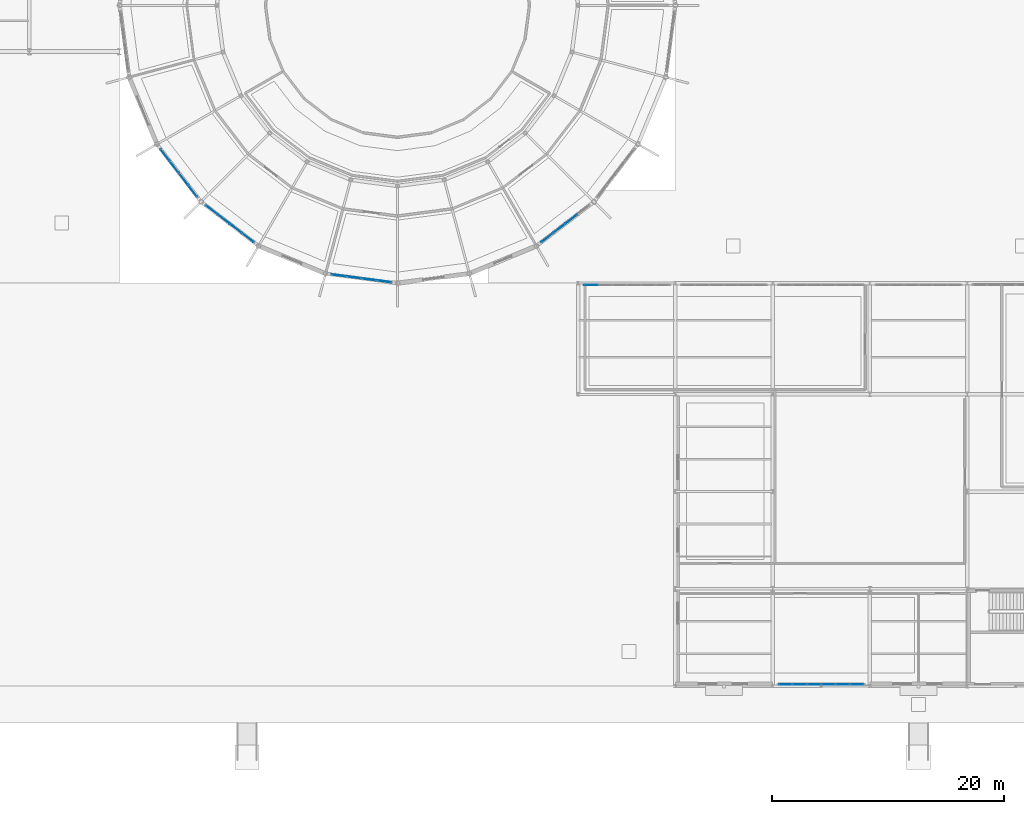
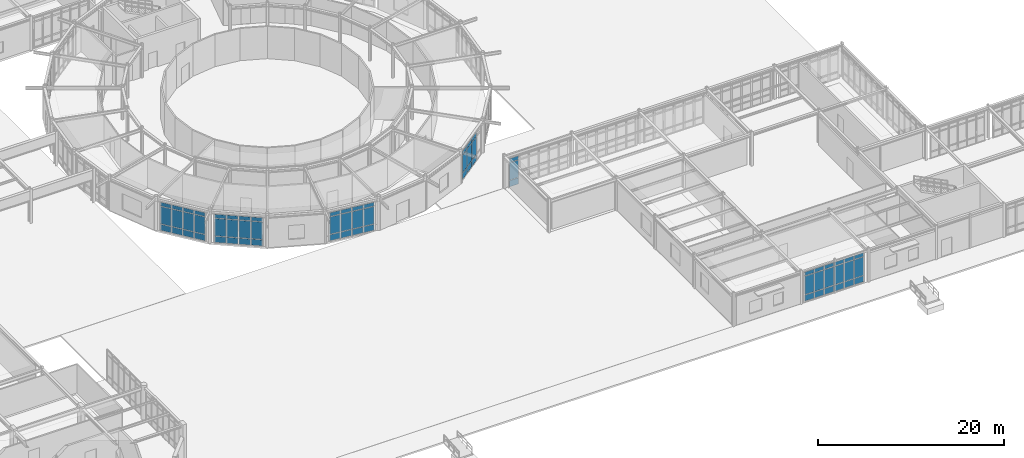
# One storey, part 63 of 101: 66 plates, 6 elements without a shape of their own.
"""IFC4 building model written with IfcOpenShell, lengths in metres."""

from ifc_helpers import new_model, si_unit, derived_unit, direction, frame, origin, origin_2d, place, context, subcontext, project, spatial, rectangle, extrude, material, layer, layer_set, type_object, element, aggregate, save


model = new_model("IFC4")

# Units and contexts
model_context = context("Model", 3, precision=1e-05, world=origin(), true_north=direction((0.0, 1.0)))
body_context = subcontext(model_context, "Body", "Model", "MODEL_VIEW")
ifc_project = project(units=[si_unit("LENGTHUNIT", "METRE"), si_unit("AREAUNIT", "SQUARE_METRE"), si_unit("VOLUMEUNIT", "CUBIC_METRE"), si_unit("PLANEANGLEUNIT", "RADIAN"), si_unit("MASSUNIT", "GRAM", prefix="KILO"), derived_unit("THERMALTRANSMITTANCEUNIT", [(si_unit("POWERUNIT", "WATT"), 1), (si_unit("AREAUNIT", "SQUARE_METRE"), -1), (si_unit("THERMODYNAMICTEMPERATUREUNIT", "KELVIN"), -1)])], contexts=[model_context])

# Site, building, storey
site_placement = place(None, origin())
site = spatial("IfcSite", under=ifc_project, at=site_placement, CompositionType="ELEMENT")
building_placement = place(site_placement, origin())
building = spatial("IfcBuilding", under=site, at=building_placement, Name="Yasenodar Specialist Clinic", CompositionType="ELEMENT")
storey_placement = place(building_placement, origin())
storey = spatial("IfcBuildingStorey", under=building, at=storey_placement, Name="L00", CompositionType="ELEMENT", Elevation=0.0)

# Curtain wall, plates
ifc_material_1 = material(Name="Bronze Anodized Aluminium and Triple Low-E Glass", Category="aluminium")
ifc_layer_1 = layer(ifc_material_1, 0.1669921875)
ifc_layer_set_1 = layer_set([ifc_layer_1], Name="Bronze Anodized Aluminium and Triple Low-E Glass")
curtain_wall_type_1 = type_object("IfcCurtainWallType", Name="CW-SYS-01", PredefinedType="USERDEFINED", material=ifc_layer_set_1)
curtain_wall_1_placement = place(storey_placement, origin())
curtain_wall_1 = element("IfcCurtainWall", 1, at=curtain_wall_1_placement, inside=storey, type_object=curtain_wall_type_1, Name="L00 Unitised Curtain Wall 008", ObjectType="UNITISED CURTAIN WALL", PredefinedType="USERDEFINED")
ifc_material_2 = material(Name="Triple Low-E Argon Glazing", Category="glass")
ifc_layer_2 = layer(ifc_material_2, 0.028076171875)
ifc_layer_set_2 = layer_set([ifc_layer_2], Name="Triple Low-E Argon Glazing")
plate_type_1 = type_object("IfcPlateType", Name="CW-PAN-1", PredefinedType="CURTAIN_PANEL", material=ifc_layer_set_2)
plate_1_placement = place(storey_placement, frame((63.32275390625, 42.750244140625, 0.070068359375), z_axis=(0.0, 0.0, 1.0), x_axis=(-0.608752021844, 0.793360558574, 0.0)))
plate_1 = element("IfcPlate", 2, at=plate_1_placement, type_object=plate_type_1, Name="CW-01 panel 1.1", PredefinedType="CURTAIN_PANEL", context=body_context, shape_type="SweptSolid", body=[
    extrude(rectangle(XDim=1.221435546875, YDim=0.028076171875, at=origin_2d()), origin(), (0.0, 0.0, 1.0), 0.794921875),
])
plate_2_placement = place(storey_placement, frame((63.32275390625, 42.750244140625, 0.93505859375), z_axis=(0.0, 0.0, 1.0), x_axis=(-0.608752021844, 0.793360558574, 0.0)))
plate_2 = element("IfcPlate", 3, at=plate_2_placement, type_object=plate_type_1, Name="CW-01 panel 1.2", PredefinedType="CURTAIN_PANEL", context=body_context, shape_type="SweptSolid", body=[
    extrude(rectangle(XDim=1.221435546875, YDim=0.028076171875, at=origin_2d()), origin(), (0.0, 0.0, 1.0), 2.26806640625),
])
plate_3_placement = place(storey_placement, frame((63.32275390625, 42.750244140625, 3.27294921875), z_axis=(0.0, 0.0, 1.0), x_axis=(-0.608752021844, 0.793360558574, 0.0)))
plate_3 = element("IfcPlate", 4, at=plate_3_placement, type_object=plate_type_1, Name="CW-01 panel 1.3", PredefinedType="CURTAIN_PANEL", context=body_context, shape_type="SweptSolid", body=[
    extrude(rectangle(XDim=1.221435546875, YDim=0.028076171875, at=origin_2d()), origin(), (0.0, 0.0, 1.0), 0.4951171875),
])
plate_4_placement = place(storey_placement, frame((62.526123046875, 43.78857421875, 0.070068359375), z_axis=(0.0, 0.0, 1.0), x_axis=(-0.608752021844, 0.793360558574, 0.0)))
plate_4 = element("IfcPlate", 5, at=plate_4_placement, type_object=plate_type_1, Name="CW-01 panel 2.1", PredefinedType="CURTAIN_PANEL", context=body_context, shape_type="SweptSolid", body=[
    extrude(rectangle(XDim=1.25634765625, YDim=0.028076171875, at=origin_2d()), origin(), (0.0, 0.0, 1.0), 0.794921875),
])
plate_5_placement = place(storey_placement, frame((62.526123046875, 43.78857421875, 0.93505859375), z_axis=(0.0, 0.0, 1.0), x_axis=(-0.608752021844, 0.793360558574, 0.0)))
plate_5 = element("IfcPlate", 6, at=plate_5_placement, type_object=plate_type_1, Name="CW-01 panel 2.2", PredefinedType="CURTAIN_PANEL", context=body_context, shape_type="SweptSolid", body=[
    extrude(rectangle(XDim=1.25634765625, YDim=0.028076171875, at=origin_2d()), origin(), (0.0, 0.0, 1.0), 2.26806640625),
])
plate_6_placement = place(storey_placement, frame((62.526123046875, 43.78857421875, 3.27294921875), z_axis=(0.0, 0.0, 1.0), x_axis=(-0.608752021844, 0.793360558574, 0.0)))
plate_6 = element("IfcPlate", 7, at=plate_6_placement, type_object=plate_type_1, Name="CW-01 panel 2.3", PredefinedType="CURTAIN_PANEL", context=body_context, shape_type="SweptSolid", body=[
    extrude(rectangle(XDim=1.25634765625, YDim=0.028076171875, at=origin_2d()), origin(), (0.0, 0.0, 1.0), 0.4951171875),
])
plate_7_placement = place(storey_placement, frame((61.71875, 44.8408203125, 0.070068359375), z_axis=(0.0, 0.0, 1.0), x_axis=(-0.608752021844, 0.793360558574, 0.0)))
plate_7 = element("IfcPlate", 8, at=plate_7_placement, type_object=plate_type_1, Name="CW-01 panel 3.1", PredefinedType="CURTAIN_PANEL", context=body_context, shape_type="SweptSolid", body=[
    extrude(rectangle(XDim=1.25634765625, YDim=0.028076171875, at=origin_2d()), origin(), (0.0, 0.0, 1.0), 0.794921875),
])
plate_8_placement = place(storey_placement, frame((61.71875, 44.8408203125, 0.93505859375), z_axis=(0.0, 0.0, 1.0), x_axis=(-0.608752021844, 0.793360558574, 0.0)))
plate_8 = element("IfcPlate", 9, at=plate_8_placement, type_object=plate_type_1, Name="CW-01 panel 3.2", PredefinedType="CURTAIN_PANEL", context=body_context, shape_type="SweptSolid", body=[
    extrude(rectangle(XDim=1.25634765625, YDim=0.028076171875, at=origin_2d()), origin(), (0.0, 0.0, 1.0), 2.26806640625),
])
plate_9_placement = place(storey_placement, frame((61.71875, 44.8408203125, 3.27294921875), z_axis=(0.0, 0.0, 1.0), x_axis=(-0.608752021844, 0.793360558574, 0.0)))
plate_9 = element("IfcPlate", 10, at=plate_9_placement, type_object=plate_type_1, Name="CW-01 panel 3.3", PredefinedType="CURTAIN_PANEL", context=body_context, shape_type="SweptSolid", body=[
    extrude(rectangle(XDim=1.25634765625, YDim=0.028076171875, at=origin_2d()), origin(), (0.0, 0.0, 1.0), 0.4951171875),
])
plate_10_placement = place(storey_placement, frame((60.921875, 45.879150390625, 0.070068359375), z_axis=(0.0, 0.0, 1.0), x_axis=(-0.608752021844, 0.793360558574, 0.0)))
plate_10 = element("IfcPlate", 11, at=plate_10_placement, type_object=plate_type_1, Name="CW-01 panel 4.1", PredefinedType="CURTAIN_PANEL", context=body_context, shape_type="SweptSolid", body=[
    extrude(rectangle(XDim=1.221435546875, YDim=0.028076171875, at=origin_2d()), origin(), (0.0, 0.0, 1.0), 0.794921875),
])
plate_11_placement = place(storey_placement, frame((60.921875, 45.879150390625, 0.93505859375), z_axis=(0.0, 0.0, 1.0), x_axis=(-0.608752021844, 0.793360558574, 0.0)))
plate_11 = element("IfcPlate", 12, at=plate_11_placement, type_object=plate_type_1, Name="CW-01 panel 4.2", PredefinedType="CURTAIN_PANEL", context=body_context, shape_type="SweptSolid", body=[
    extrude(rectangle(XDim=1.221435546875, YDim=0.028076171875, at=origin_2d()), origin(), (0.0, 0.0, 1.0), 2.26806640625),
])
plate_12_placement = place(storey_placement, frame((60.921875, 45.879150390625, 3.27294921875), z_axis=(0.0, 0.0, 1.0), x_axis=(-0.608752021844, 0.793360558574, 0.0)))
plate_12 = element("IfcPlate", 13, at=plate_12_placement, type_object=plate_type_1, Name="CW-01 panel 4.3", PredefinedType="CURTAIN_PANEL", context=body_context, shape_type="SweptSolid", body=[
    extrude(rectangle(XDim=1.221435546875, YDim=0.028076171875, at=origin_2d()), origin(), (0.0, 0.0, 1.0), 0.4951171875),
])
aggregate(curtain_wall_1, [plate_1, plate_2, plate_3, plate_4, plate_5, plate_6, plate_7, plate_8, plate_9, plate_10, plate_11, plate_12])

ifc_layer_3 = layer(ifc_material_1, 0.178955078125)
ifc_layer_set_3 = layer_set([ifc_layer_3], Name="Bronze Anodized Aluminium and Triple Low-E Glass")
curtain_wall_type_2 = type_object("IfcCurtainWallType", Name="CW-SYS-02", PredefinedType="USERDEFINED", material=ifc_layer_set_3)
curtain_wall_2_placement = place(storey_placement, origin())
curtain_wall_2 = element("IfcCurtainWall", 14, at=curtain_wall_2_placement, inside=storey, type_object=curtain_wall_type_2, Name="L00 Unitised Curtain Wall 080", ObjectType="UNITISED CURTAIN WALL", PredefinedType="USERDEFINED")
plate_13_placement = place(storey_placement, frame((120.68115234375, 0.14990234375, 0.074951171875), z_axis=(0.0, 0.0, 1.0), x_axis=(-1.0, 0.0, 0.0)))
plate_13 = element("IfcPlate", 15, at=plate_13_placement, type_object=plate_type_1, Name="CW-02 panel 1.1", PredefinedType="CURTAIN_PANEL", context=body_context, shape_type="SweptSolid", body=[
    extrude(rectangle(XDim=1.12744140625, YDim=0.028076171875, at=origin_2d()), origin(), (0.0, 0.0, 1.0), 0.78759765625),
])
plate_14_placement = place(storey_placement, frame((120.68115234375, 0.14990234375, 0.9375), z_axis=(0.0, 0.0, 1.0), x_axis=(-1.0, 0.0, 0.0)))
plate_14 = element("IfcPlate", 16, at=plate_14_placement, type_object=plate_type_1, Name="CW-02 panel 1.2", PredefinedType="CURTAIN_PANEL", context=body_context, shape_type="SweptSolid", body=[
    extrude(rectangle(XDim=1.12744140625, YDim=0.028076171875, at=origin_2d()), origin(), (0.0, 0.0, 1.0), 2.403076171875),
])
plate_15_placement = place(storey_placement, frame((120.68115234375, 0.14990234375, 3.41552734375), z_axis=(0.0, 0.0, 1.0), x_axis=(-1.0, 0.0, 0.0)))
plate_15 = element("IfcPlate", 17, at=plate_15_placement, type_object=plate_type_1, Name="CW-02 panel 1.3", PredefinedType="CURTAIN_PANEL", context=body_context, shape_type="SweptSolid", body=[
    extrude(rectangle(XDim=1.12744140625, YDim=0.028076171875, at=origin_2d()), origin(), (0.0, 0.0, 1.0), 0.487548828125),
])
plate_16_placement = place(storey_placement, frame((119.4599609375, 0.14990234375, 0.074951171875), z_axis=(0.0, 0.0, 1.0), x_axis=(-1.0, 0.0, 0.0)))
plate_16 = element("IfcPlate", 18, at=plate_16_placement, type_object=plate_type_1, Name="CW-02 panel 2.1", PredefinedType="CURTAIN_PANEL", context=body_context, shape_type="SweptSolid", body=[
    extrude(rectangle(XDim=1.1650390625, YDim=0.028076171875, at=origin_2d()), origin(), (0.0, 0.0, 1.0), 0.78759765625),
])
plate_17_placement = place(storey_placement, frame((119.4599609375, 0.14990234375, 0.9375), z_axis=(0.0, 0.0, 1.0), x_axis=(-1.0, 0.0, 0.0)))
plate_17 = element("IfcPlate", 19, at=plate_17_placement, type_object=plate_type_1, Name="CW-02 panel 2.2", PredefinedType="CURTAIN_PANEL", context=body_context, shape_type="SweptSolid", body=[
    extrude(rectangle(XDim=1.1650390625, YDim=0.028076171875, at=origin_2d()), origin(), (0.0, 0.0, 1.0), 2.403076171875),
])
plate_18_placement = place(storey_placement, frame((119.4599609375, 0.14990234375, 3.41552734375), z_axis=(0.0, 0.0, 1.0), x_axis=(-1.0, 0.0, 0.0)))
plate_18 = element("IfcPlate", 20, at=plate_18_placement, type_object=plate_type_1, Name="CW-02 panel 2.3", PredefinedType="CURTAIN_PANEL", context=body_context, shape_type="SweptSolid", body=[
    extrude(rectangle(XDim=1.1650390625, YDim=0.028076171875, at=origin_2d()), origin(), (0.0, 0.0, 1.0), 0.487548828125),
])
plate_19_placement = place(storey_placement, frame((118.219970703125, 0.14990234375, 0.074951171875), z_axis=(0.0, 0.0, 1.0), x_axis=(-1.0, 0.0, 0.0)))
plate_19 = element("IfcPlate", 21, at=plate_19_placement, type_object=plate_type_1, Name="CW-02 panel 3.1", PredefinedType="CURTAIN_PANEL", context=body_context, shape_type="SweptSolid", body=[
    extrude(rectangle(XDim=1.1650390625, YDim=0.028076171875, at=origin_2d()), origin(), (0.0, 0.0, 1.0), 0.78759765625),
])
plate_20_placement = place(storey_placement, frame((118.219970703125, 0.14990234375, 0.9375), z_axis=(0.0, 0.0, 1.0), x_axis=(-1.0, 0.0, 0.0)))
plate_20 = element("IfcPlate", 22, at=plate_20_placement, type_object=plate_type_1, Name="CW-02 panel 3.2", PredefinedType="CURTAIN_PANEL", context=body_context, shape_type="SweptSolid", body=[
    extrude(rectangle(XDim=1.1650390625, YDim=0.028076171875, at=origin_2d()), origin(), (0.0, 0.0, 1.0), 2.403076171875),
])
plate_21_placement = place(storey_placement, frame((118.219970703125, 0.14990234375, 3.41552734375), z_axis=(0.0, 0.0, 1.0), x_axis=(-1.0, 0.0, 0.0)))
plate_21 = element("IfcPlate", 23, at=plate_21_placement, type_object=plate_type_1, Name="CW-02 panel 3.3", PredefinedType="CURTAIN_PANEL", context=body_context, shape_type="SweptSolid", body=[
    extrude(rectangle(XDim=1.1650390625, YDim=0.028076171875, at=origin_2d()), origin(), (0.0, 0.0, 1.0), 0.487548828125),
])
plate_22_placement = place(storey_placement, frame((116.97998046875, 0.14990234375, 0.074951171875), z_axis=(0.0, 0.0, 1.0), x_axis=(-1.0, 0.0, 0.0)))
plate_22 = element("IfcPlate", 24, at=plate_22_placement, type_object=plate_type_1, Name="CW-02 panel 4.1", PredefinedType="CURTAIN_PANEL", context=body_context, shape_type="SweptSolid", body=[
    extrude(rectangle(XDim=1.1650390625, YDim=0.028076171875, at=origin_2d()), origin(), (0.0, 0.0, 1.0), 0.78759765625),
])
plate_23_placement = place(storey_placement, frame((116.97998046875, 0.14990234375, 0.9375), z_axis=(0.0, 0.0, 1.0), x_axis=(-1.0, 0.0, 0.0)))
plate_23 = element("IfcPlate", 25, at=plate_23_placement, type_object=plate_type_1, Name="CW-02 panel 4.2", PredefinedType="CURTAIN_PANEL", context=body_context, shape_type="SweptSolid", body=[
    extrude(rectangle(XDim=1.1650390625, YDim=0.028076171875, at=origin_2d()), origin(), (0.0, 0.0, 1.0), 2.403076171875),
])
plate_24_placement = place(storey_placement, frame((116.97998046875, 0.14990234375, 3.41552734375), z_axis=(0.0, 0.0, 1.0), x_axis=(-1.0, 0.0, 0.0)))
plate_24 = element("IfcPlate", 26, at=plate_24_placement, type_object=plate_type_1, Name="CW-02 panel 4.3", PredefinedType="CURTAIN_PANEL", context=body_context, shape_type="SweptSolid", body=[
    extrude(rectangle(XDim=1.1650390625, YDim=0.028076171875, at=origin_2d()), origin(), (0.0, 0.0, 1.0), 0.487548828125),
])
plate_25_placement = place(storey_placement, frame((115.739990234375, 0.14990234375, 0.074951171875), z_axis=(0.0, 0.0, 1.0), x_axis=(-1.0, 0.0, 0.0)))
plate_25 = element("IfcPlate", 27, at=plate_25_placement, type_object=plate_type_1, Name="CW-02 panel 5.1", PredefinedType="CURTAIN_PANEL", context=body_context, shape_type="SweptSolid", body=[
    extrude(rectangle(XDim=1.1650390625, YDim=0.028076171875, at=origin_2d()), origin(), (0.0, 0.0, 1.0), 0.78759765625),
])
plate_26_placement = place(storey_placement, frame((115.739990234375, 0.14990234375, 0.9375), z_axis=(0.0, 0.0, 1.0), x_axis=(-1.0, 0.0, 0.0)))
plate_26 = element("IfcPlate", 28, at=plate_26_placement, type_object=plate_type_1, Name="CW-02 panel 5.2", PredefinedType="CURTAIN_PANEL", context=body_context, shape_type="SweptSolid", body=[
    extrude(rectangle(XDim=1.1650390625, YDim=0.028076171875, at=origin_2d()), origin(), (0.0, 0.0, 1.0), 2.403076171875),
])
plate_27_placement = place(storey_placement, frame((115.739990234375, 0.14990234375, 3.41552734375), z_axis=(0.0, 0.0, 1.0), x_axis=(-1.0, 0.0, 0.0)))
plate_27 = element("IfcPlate", 29, at=plate_27_placement, type_object=plate_type_1, Name="CW-02 panel 5.3", PredefinedType="CURTAIN_PANEL", context=body_context, shape_type="SweptSolid", body=[
    extrude(rectangle(XDim=1.1650390625, YDim=0.028076171875, at=origin_2d()), origin(), (0.0, 0.0, 1.0), 0.487548828125),
])
plate_28_placement = place(storey_placement, frame((114.518798828125, 0.14990234375, 0.074951171875), z_axis=(0.0, 0.0, 1.0), x_axis=(-1.0, 0.0, 0.0)))
plate_28 = element("IfcPlate", 30, at=plate_28_placement, type_object=plate_type_1, Name="CW-02 panel 6.1", PredefinedType="CURTAIN_PANEL", context=body_context, shape_type="SweptSolid", body=[
    extrude(rectangle(XDim=1.12744140625, YDim=0.028076171875, at=origin_2d()), origin(), (0.0, 0.0, 1.0), 0.78759765625),
])
plate_29_placement = place(storey_placement, frame((114.518798828125, 0.14990234375, 0.9375), z_axis=(0.0, 0.0, 1.0), x_axis=(-1.0, 0.0, 0.0)))
plate_29 = element("IfcPlate", 31, at=plate_29_placement, type_object=plate_type_1, Name="CW-02 panel 6.2", PredefinedType="CURTAIN_PANEL", context=body_context, shape_type="SweptSolid", body=[
    extrude(rectangle(XDim=1.12744140625, YDim=0.028076171875, at=origin_2d()), origin(), (0.0, 0.0, 1.0), 2.403076171875),
])
plate_30_placement = place(storey_placement, frame((114.518798828125, 0.14990234375, 3.41552734375), z_axis=(0.0, 0.0, 1.0), x_axis=(-1.0, 0.0, 0.0)))
plate_30 = element("IfcPlate", 32, at=plate_30_placement, type_object=plate_type_1, Name="CW-02 panel 6.3", PredefinedType="CURTAIN_PANEL", context=body_context, shape_type="SweptSolid", body=[
    extrude(rectangle(XDim=1.12744140625, YDim=0.028076171875, at=origin_2d()), origin(), (0.0, 0.0, 1.0), 0.487548828125),
])
aggregate(curtain_wall_2, [plate_13, plate_14, plate_15, plate_16, plate_17, plate_18, plate_19, plate_20, plate_21, plate_22, plate_23, plate_24, plate_25, plate_26, plate_27, plate_28, plate_29, plate_30])

curtain_wall_3_placement = place(storey_placement, origin())
curtain_wall_3 = element("IfcCurtainWall", 33, at=curtain_wall_3_placement, inside=storey, type_object=curtain_wall_type_1, Name="L00 Unitised Curtain Wall 009", ObjectType="UNITISED CURTAIN WALL", PredefinedType="USERDEFINED")
ifc_layer_4 = layer(ifc_material_2, 0.033935546875)
ifc_layer_set_4 = layer_set([ifc_layer_4], Name="Triple Low-E Argon Glazing")
plate_type_2 = type_object("IfcPlateType", Name="CW-PAN-2", PredefinedType="CURTAIN_PANEL", material=ifc_layer_set_4)
plate_31_placement = place(storey_placement, frame((68.0791015625, 38.721923828125, 0.070068359375), z_axis=(0.0, 0.0, 1.0), x_axis=(-0.793360558574, 0.608752021844, 0.0)))
plate_31 = element("IfcPlate", 34, at=plate_31_placement, type_object=plate_type_2, Name="CW-01 panel 1.1", PredefinedType="CURTAIN_PANEL", context=body_context, shape_type="SweptSolid", body=[
    extrude(rectangle(XDim=1.221435546875, YDim=0.033935546875, at=origin_2d()), origin(), (0.0, 0.0, 1.0), 0.794921875),
])
plate_32_placement = place(storey_placement, frame((68.0791015625, 38.721923828125, 0.93505859375), z_axis=(0.0, 0.0, 1.0), x_axis=(-0.793360558574, 0.608752021844, 0.0)))
plate_32 = element("IfcPlate", 35, at=plate_32_placement, type_object=plate_type_2, Name="CW-01 panel 1.2", PredefinedType="CURTAIN_PANEL", context=body_context, shape_type="SweptSolid", body=[
    extrude(rectangle(XDim=1.221435546875, YDim=0.033935546875, at=origin_2d()), origin(), (0.0, 0.0, 1.0), 2.26806640625),
])
plate_33_placement = place(storey_placement, frame((68.0791015625, 38.721923828125, 3.27294921875), z_axis=(0.0, 0.0, 1.0), x_axis=(-0.793360558574, 0.608752021844, 0.0)))
plate_33 = element("IfcPlate", 36, at=plate_33_placement, type_object=plate_type_2, Name="CW-01 panel 1.3", PredefinedType="CURTAIN_PANEL", context=body_context, shape_type="SweptSolid", body=[
    extrude(rectangle(XDim=1.221435546875, YDim=0.033935546875, at=origin_2d()), origin(), (0.0, 0.0, 1.0), 0.4951171875),
])
plate_34_placement = place(storey_placement, frame((67.040771484375, 39.518798828125, 0.070068359375), z_axis=(0.0, 0.0, 1.0), x_axis=(-0.793360558574, 0.608752021844, 0.0)))
plate_34 = element("IfcPlate", 37, at=plate_34_placement, type_object=plate_type_2, Name="CW-01 panel 2.1", PredefinedType="CURTAIN_PANEL", context=body_context, shape_type="SweptSolid", body=[
    extrude(rectangle(XDim=1.25634765625, YDim=0.033935546875, at=origin_2d()), origin(), (0.0, 0.0, 1.0), 0.794921875),
])
plate_35_placement = place(storey_placement, frame((67.040771484375, 39.518798828125, 0.93505859375), z_axis=(0.0, 0.0, 1.0), x_axis=(-0.793360558574, 0.608752021844, 0.0)))
plate_35 = element("IfcPlate", 38, at=plate_35_placement, type_object=plate_type_2, Name="CW-01 panel 2.2", PredefinedType="CURTAIN_PANEL", context=body_context, shape_type="SweptSolid", body=[
    extrude(rectangle(XDim=1.25634765625, YDim=0.033935546875, at=origin_2d()), origin(), (0.0, 0.0, 1.0), 2.26806640625),
])
plate_36_placement = place(storey_placement, frame((67.040771484375, 39.518798828125, 3.27294921875), z_axis=(0.0, 0.0, 1.0), x_axis=(-0.793360558574, 0.608752021844, 0.0)))
plate_36 = element("IfcPlate", 39, at=plate_36_placement, type_object=plate_type_2, Name="CW-01 panel 2.3", PredefinedType="CURTAIN_PANEL", context=body_context, shape_type="SweptSolid", body=[
    extrude(rectangle(XDim=1.25634765625, YDim=0.033935546875, at=origin_2d()), origin(), (0.0, 0.0, 1.0), 0.4951171875),
])
plate_37_placement = place(storey_placement, frame((65.988525390625, 40.326171875, 0.070068359375), z_axis=(0.0, 0.0, 1.0), x_axis=(-0.793360558574, 0.608752021844, 0.0)))
plate_37 = element("IfcPlate", 40, at=plate_37_placement, type_object=plate_type_2, Name="CW-01 panel 3.1", PredefinedType="CURTAIN_PANEL", context=body_context, shape_type="SweptSolid", body=[
    extrude(rectangle(XDim=1.25634765625, YDim=0.033935546875, at=origin_2d()), origin(), (0.0, 0.0, 1.0), 0.794921875),
])
plate_38_placement = place(storey_placement, frame((65.988525390625, 40.326171875, 0.93505859375), z_axis=(0.0, 0.0, 1.0), x_axis=(-0.793360558574, 0.608752021844, 0.0)))
plate_38 = element("IfcPlate", 41, at=plate_38_placement, type_object=plate_type_2, Name="CW-01 panel 3.2", PredefinedType="CURTAIN_PANEL", context=body_context, shape_type="SweptSolid", body=[
    extrude(rectangle(XDim=1.25634765625, YDim=0.033935546875, at=origin_2d()), origin(), (0.0, 0.0, 1.0), 2.26806640625),
])
plate_39_placement = place(storey_placement, frame((65.988525390625, 40.326171875, 3.27294921875), z_axis=(0.0, 0.0, 1.0), x_axis=(-0.793360558574, 0.608752021844, 0.0)))
plate_39 = element("IfcPlate", 42, at=plate_39_placement, type_object=plate_type_2, Name="CW-01 panel 3.3", PredefinedType="CURTAIN_PANEL", context=body_context, shape_type="SweptSolid", body=[
    extrude(rectangle(XDim=1.25634765625, YDim=0.033935546875, at=origin_2d()), origin(), (0.0, 0.0, 1.0), 0.4951171875),
])
plate_40_placement = place(storey_placement, frame((64.9501953125, 41.122802734375, 0.070068359375), z_axis=(0.0, 0.0, 1.0), x_axis=(-0.793360558574, 0.608752021844, 0.0)))
plate_40 = element("IfcPlate", 43, at=plate_40_placement, type_object=plate_type_2, Name="CW-01 panel 4.1", PredefinedType="CURTAIN_PANEL", context=body_context, shape_type="SweptSolid", body=[
    extrude(rectangle(XDim=1.221435546875, YDim=0.033935546875, at=origin_2d()), origin(), (0.0, 0.0, 1.0), 0.794921875),
])
plate_41_placement = place(storey_placement, frame((64.9501953125, 41.122802734375, 0.93505859375), z_axis=(0.0, 0.0, 1.0), x_axis=(-0.793360558574, 0.608752021844, 0.0)))
plate_41 = element("IfcPlate", 44, at=plate_41_placement, type_object=plate_type_2, Name="CW-01 panel 4.2", PredefinedType="CURTAIN_PANEL", context=body_context, shape_type="SweptSolid", body=[
    extrude(rectangle(XDim=1.221435546875, YDim=0.033935546875, at=origin_2d()), origin(), (0.0, 0.0, 1.0), 2.26806640625),
])
plate_42_placement = place(storey_placement, frame((64.9501953125, 41.122802734375, 3.27294921875), z_axis=(0.0, 0.0, 1.0), x_axis=(-0.793360558574, 0.608752021844, 0.0)))
plate_42 = element("IfcPlate", 45, at=plate_42_placement, type_object=plate_type_2, Name="CW-01 panel 4.3", PredefinedType="CURTAIN_PANEL", context=body_context, shape_type="SweptSolid", body=[
    extrude(rectangle(XDim=1.221435546875, YDim=0.033935546875, at=origin_2d()), origin(), (0.0, 0.0, 1.0), 0.4951171875),
])
aggregate(curtain_wall_3, [plate_31, plate_32, plate_33, plate_34, plate_35, plate_36, plate_37, plate_38, plate_39, plate_40, plate_41, plate_42])

curtain_wall_4_placement = place(storey_placement, origin())
curtain_wall_4 = element("IfcCurtainWall", 46, at=curtain_wall_4_placement, inside=storey, type_object=curtain_wall_type_2, Name="L00 Unitised Curtain Wall 081", ObjectType="UNITISED CURTAIN WALL", PredefinedType="USERDEFINED")
plate_43_placement = place(storey_placement, frame((97.717529296875, 34.64990234375, 0.070068359375), z_axis=(0.0, 0.0, 1.0), x_axis=(1.0, 0.0, 0.0)))
plate_43 = element("IfcPlate", 47, at=plate_43_placement, type_object=plate_type_2, Name="CW-02 panel 1.1", PredefinedType="CURTAIN_PANEL", context=body_context, shape_type="SweptSolid", body=[
    extrude(rectangle(XDim=1.135009765625, YDim=0.033935546875, at=origin_2d()), origin(), (0.0, 0.0, 1.0), 0.794921875),
])
plate_44_placement = place(storey_placement, frame((97.717529296875, 34.64990234375, 0.93505859375), z_axis=(0.0, 0.0, 1.0), x_axis=(1.0, 0.0, 0.0)))
plate_44 = element("IfcPlate", 48, at=plate_44_placement, type_object=plate_type_2, Name="CW-02 panel 1.2", PredefinedType="CURTAIN_PANEL", context=body_context, shape_type="SweptSolid", body=[
    extrude(rectangle(XDim=1.135009765625, YDim=0.033935546875, at=origin_2d()), origin(), (0.0, 0.0, 1.0), 2.258056640625),
])
plate_45_placement = place(storey_placement, frame((97.717529296875, 34.64990234375, 3.262939453125), z_axis=(0.0, 0.0, 1.0), x_axis=(1.0, 0.0, 0.0)))
plate_45 = element("IfcPlate", 49, at=plate_45_placement, type_object=plate_type_2, Name="CW-02 panel 1.3", PredefinedType="CURTAIN_PANEL", context=body_context, shape_type="SweptSolid", body=[
    extrude(rectangle(XDim=1.135009765625, YDim=0.033935546875, at=origin_2d()), origin(), (0.0, 0.0, 1.0), 0.4951171875),
])
aggregate(curtain_wall_4, [plate_43, plate_44, plate_45])

curtain_wall_5_placement = place(storey_placement, origin())
curtain_wall_5 = element("IfcCurtainWall", 50, at=curtain_wall_5_placement, inside=storey, type_object=curtain_wall_type_1, Name="L00 Unitised Curtain Wall 010", ObjectType="UNITISED CURTAIN WALL", PredefinedType="USERDEFINED")
ifc_layer_5 = layer(ifc_material_2, 0.0400390625)
ifc_layer_set_5 = layer_set([ifc_layer_5], Name="Triple Low-E Argon Glazing")
plate_type_3 = type_object("IfcPlateType", Name="CW-PAN-3", PredefinedType="CURTAIN_PANEL", material=ifc_layer_set_5)
plate_46_placement = place(storey_placement, frame((79.84814453125, 34.95166015625, 0.074951171875), z_axis=(0.0, 0.0, 1.0), x_axis=(-0.991446787601, 0.13051156024, 0.0)))
plate_46 = element("IfcPlate", 51, at=plate_46_placement, type_object=plate_type_3, Name="CW-01 panel 1.1", PredefinedType="CURTAIN_PANEL", context=body_context, shape_type="SweptSolid", body=[
    extrude(rectangle(XDim=1.2138671875, YDim=0.0400390625, at=origin_2d()), origin(), (0.0, 0.0, 1.0), 0.78759765625),
])
plate_47_placement = place(storey_placement, frame((79.84814453125, 34.95166015625, 0.9375), z_axis=(0.0, 0.0, 1.0), x_axis=(-0.991446787601, 0.13051156024, 0.0)))
plate_47 = element("IfcPlate", 52, at=plate_47_placement, type_object=plate_type_3, Name="CW-01 panel 1.2", PredefinedType="CURTAIN_PANEL", context=body_context, shape_type="SweptSolid", body=[
    extrude(rectangle(XDim=1.2138671875, YDim=0.0400390625, at=origin_2d()), origin(), (0.0, 0.0, 1.0), 2.262939453125),
])
plate_48_placement = place(storey_placement, frame((79.84814453125, 34.95166015625, 3.275390625), z_axis=(0.0, 0.0, 1.0), x_axis=(-0.991446787601, 0.13051156024, 0.0)))
plate_48 = element("IfcPlate", 53, at=plate_48_placement, type_object=plate_type_3, Name="CW-01 panel 1.3", PredefinedType="CURTAIN_PANEL", context=body_context, shape_type="SweptSolid", body=[
    extrude(rectangle(XDim=1.2138671875, YDim=0.0400390625, at=origin_2d()), origin(), (0.0, 0.0, 1.0), 0.487548828125),
])
plate_49_placement = place(storey_placement, frame((78.5517578125, 35.122314453125, 0.074951171875), z_axis=(0.0, 0.0, 1.0), x_axis=(-0.991446787601, 0.13051156024, 0.0)))
plate_49 = element("IfcPlate", 54, at=plate_49_placement, type_object=plate_type_3, Name="CW-01 panel 2.1", PredefinedType="CURTAIN_PANEL", context=body_context, shape_type="SweptSolid", body=[
    extrude(rectangle(XDim=1.251220703125, YDim=0.0400390625, at=origin_2d()), origin(), (0.0, 0.0, 1.0), 0.78759765625),
])
plate_50_placement = place(storey_placement, frame((78.5517578125, 35.122314453125, 0.9375), z_axis=(0.0, 0.0, 1.0), x_axis=(-0.991446787601, 0.13051156024, 0.0)))
plate_50 = element("IfcPlate", 55, at=plate_50_placement, type_object=plate_type_3, Name="CW-01 panel 2.2", PredefinedType="CURTAIN_PANEL", context=body_context, shape_type="SweptSolid", body=[
    extrude(rectangle(XDim=1.251220703125, YDim=0.0400390625, at=origin_2d()), origin(), (0.0, 0.0, 1.0), 2.262939453125),
])
plate_51_placement = place(storey_placement, frame((78.5517578125, 35.122314453125, 3.275390625), z_axis=(0.0, 0.0, 1.0), x_axis=(-0.991446787601, 0.13051156024, 0.0)))
plate_51 = element("IfcPlate", 56, at=plate_51_placement, type_object=plate_type_3, Name="CW-01 panel 2.3", PredefinedType="CURTAIN_PANEL", context=body_context, shape_type="SweptSolid", body=[
    extrude(rectangle(XDim=1.251220703125, YDim=0.0400390625, at=origin_2d()), origin(), (0.0, 0.0, 1.0), 0.487548828125),
])
plate_52_placement = place(storey_placement, frame((77.236572265625, 35.29541015625, 0.074951171875), z_axis=(0.0, 0.0, 1.0), x_axis=(-0.991446787601, 0.13051156024, 0.0)))
plate_52 = element("IfcPlate", 57, at=plate_52_placement, type_object=plate_type_3, Name="CW-01 panel 3.1", PredefinedType="CURTAIN_PANEL", context=body_context, shape_type="SweptSolid", body=[
    extrude(rectangle(XDim=1.251220703125, YDim=0.0400390625, at=origin_2d()), origin(), (0.0, 0.0, 1.0), 0.78759765625),
])
plate_53_placement = place(storey_placement, frame((77.236572265625, 35.29541015625, 0.9375), z_axis=(0.0, 0.0, 1.0), x_axis=(-0.991446787601, 0.13051156024, 0.0)))
plate_53 = element("IfcPlate", 58, at=plate_53_placement, type_object=plate_type_3, Name="CW-01 panel 3.2", PredefinedType="CURTAIN_PANEL", context=body_context, shape_type="SweptSolid", body=[
    extrude(rectangle(XDim=1.251220703125, YDim=0.0400390625, at=origin_2d()), origin(), (0.0, 0.0, 1.0), 2.262939453125),
])
plate_54_placement = place(storey_placement, frame((77.236572265625, 35.29541015625, 3.275390625), z_axis=(0.0, 0.0, 1.0), x_axis=(-0.991446787601, 0.13051156024, 0.0)))
plate_54 = element("IfcPlate", 59, at=plate_54_placement, type_object=plate_type_3, Name="CW-01 panel 3.3", PredefinedType="CURTAIN_PANEL", context=body_context, shape_type="SweptSolid", body=[
    extrude(rectangle(XDim=1.251220703125, YDim=0.0400390625, at=origin_2d()), origin(), (0.0, 0.0, 1.0), 0.487548828125),
])
plate_55_placement = place(storey_placement, frame((75.940185546875, 35.466064453125, 0.074951171875), z_axis=(0.0, 0.0, 1.0), x_axis=(-0.991446787601, 0.13051156024, 0.0)))
plate_55 = element("IfcPlate", 60, at=plate_55_placement, type_object=plate_type_3, Name="CW-01 panel 4.1", PredefinedType="CURTAIN_PANEL", context=body_context, shape_type="SweptSolid", body=[
    extrude(rectangle(XDim=1.2138671875, YDim=0.0400390625, at=origin_2d()), origin(), (0.0, 0.0, 1.0), 0.78759765625),
])
plate_56_placement = place(storey_placement, frame((75.940185546875, 35.466064453125, 0.9375), z_axis=(0.0, 0.0, 1.0), x_axis=(-0.991446787601, 0.13051156024, 0.0)))
plate_56 = element("IfcPlate", 61, at=plate_56_placement, type_object=plate_type_3, Name="CW-01 panel 4.2", PredefinedType="CURTAIN_PANEL", context=body_context, shape_type="SweptSolid", body=[
    extrude(rectangle(XDim=1.2138671875, YDim=0.0400390625, at=origin_2d()), origin(), (0.0, 0.0, 1.0), 2.262939453125),
])
plate_57_placement = place(storey_placement, frame((75.940185546875, 35.466064453125, 3.275390625), z_axis=(0.0, 0.0, 1.0), x_axis=(-0.991446787601, 0.13051156024, 0.0)))
plate_57 = element("IfcPlate", 62, at=plate_57_placement, type_object=plate_type_3, Name="CW-01 panel 4.3", PredefinedType="CURTAIN_PANEL", context=body_context, shape_type="SweptSolid", body=[
    extrude(rectangle(XDim=1.2138671875, YDim=0.0400390625, at=origin_2d()), origin(), (0.0, 0.0, 1.0), 0.487548828125),
])
aggregate(curtain_wall_5, [plate_46, plate_47, plate_48, plate_49, plate_50, plate_51, plate_52, plate_53, plate_54, plate_55, plate_56, plate_57])

curtain_wall_6_placement = place(storey_placement, origin())
curtain_wall_6 = element("IfcCurtainWall", 63, at=curtain_wall_6_placement, inside=storey, type_object=curtain_wall_type_1, Name="L00 Unitised Curtain Wall 011", ObjectType="UNITISED CURTAIN WALL", PredefinedType="USERDEFINED")
ifc_layer_6 = layer(ifc_material_2, 0.0458984375)
ifc_layer_set_6 = layer_set([ifc_layer_6], Name="Triple Low-E Argon Glazing")
plate_type_4 = type_object("IfcPlateType", Name="CW-PAN-4", PredefinedType="CURTAIN_PANEL", material=ifc_layer_set_6)
plate_58_placement = place(storey_placement, frame((96.011474609375, 40.326171875, 0.070068359375), z_axis=(0.0, 0.0, 1.0), x_axis=(-0.793360558574, -0.608752021844, 0.0)))
plate_58 = element("IfcPlate", 64, at=plate_58_placement, type_object=plate_type_4, Name="CW-01 panel 2.1", PredefinedType="CURTAIN_PANEL", context=body_context, shape_type="SweptSolid", body=[
    extrude(rectangle(XDim=1.25634765625, YDim=0.0458984375, at=origin_2d()), origin(), (0.0, 0.0, 1.0), 0.794921875),
])
plate_59_placement = place(storey_placement, frame((96.011474609375, 40.326171875, 0.93505859375), z_axis=(0.0, 0.0, 1.0), x_axis=(-0.793360558574, -0.608752021844, 0.0)))
plate_59 = element("IfcPlate", 65, at=plate_59_placement, type_object=plate_type_4, Name="CW-01 panel 2.2", PredefinedType="CURTAIN_PANEL", context=body_context, shape_type="SweptSolid", body=[
    extrude(rectangle(XDim=1.25634765625, YDim=0.0458984375, at=origin_2d()), origin(), (0.0, 0.0, 1.0), 2.26806640625),
])
plate_60_placement = place(storey_placement, frame((96.011474609375, 40.326171875, 3.27294921875), z_axis=(0.0, 0.0, 1.0), x_axis=(-0.793360558574, -0.608752021844, 0.0)))
plate_60 = element("IfcPlate", 66, at=plate_60_placement, type_object=plate_type_4, Name="CW-01 panel 2.3", PredefinedType="CURTAIN_PANEL", context=body_context, shape_type="SweptSolid", body=[
    extrude(rectangle(XDim=1.25634765625, YDim=0.0458984375, at=origin_2d()), origin(), (0.0, 0.0, 1.0), 0.4951171875),
])
plate_61_placement = place(storey_placement, frame((94.959228515625, 39.518798828125, 0.070068359375), z_axis=(0.0, 0.0, 1.0), x_axis=(-0.793360558574, -0.608752021844, 0.0)))
plate_61 = element("IfcPlate", 67, at=plate_61_placement, type_object=plate_type_4, Name="CW-01 panel 3.1", PredefinedType="CURTAIN_PANEL", context=body_context, shape_type="SweptSolid", body=[
    extrude(rectangle(XDim=1.25634765625, YDim=0.0458984375, at=origin_2d()), origin(), (0.0, 0.0, 1.0), 0.794921875),
])
plate_62_placement = place(storey_placement, frame((94.959228515625, 39.518798828125, 0.93505859375), z_axis=(0.0, 0.0, 1.0), x_axis=(-0.793360558574, -0.608752021844, 0.0)))
plate_62 = element("IfcPlate", 68, at=plate_62_placement, type_object=plate_type_4, Name="CW-01 panel 3.2", PredefinedType="CURTAIN_PANEL", context=body_context, shape_type="SweptSolid", body=[
    extrude(rectangle(XDim=1.25634765625, YDim=0.0458984375, at=origin_2d()), origin(), (0.0, 0.0, 1.0), 2.26806640625),
])
plate_63_placement = place(storey_placement, frame((94.959228515625, 39.518798828125, 3.27294921875), z_axis=(0.0, 0.0, 1.0), x_axis=(-0.793360558574, -0.608752021844, 0.0)))
plate_63 = element("IfcPlate", 69, at=plate_63_placement, type_object=plate_type_4, Name="CW-01 panel 3.3", PredefinedType="CURTAIN_PANEL", context=body_context, shape_type="SweptSolid", body=[
    extrude(rectangle(XDim=1.25634765625, YDim=0.0458984375, at=origin_2d()), origin(), (0.0, 0.0, 1.0), 0.4951171875),
])
plate_64_placement = place(storey_placement, frame((93.9208984375, 38.721923828125, 0.070068359375), z_axis=(0.0, 0.0, 1.0), x_axis=(-0.793360558574, -0.608752021844, 0.0)))
plate_64 = element("IfcPlate", 70, at=plate_64_placement, type_object=plate_type_4, Name="CW-01 panel 4.1", PredefinedType="CURTAIN_PANEL", context=body_context, shape_type="SweptSolid", body=[
    extrude(rectangle(XDim=1.221435546875, YDim=0.0458984375, at=origin_2d()), origin(), (0.0, 0.0, 1.0), 0.794921875),
])
plate_65_placement = place(storey_placement, frame((93.9208984375, 38.721923828125, 0.93505859375), z_axis=(0.0, 0.0, 1.0), x_axis=(-0.793360558574, -0.608752021844, 0.0)))
plate_65 = element("IfcPlate", 71, at=plate_65_placement, type_object=plate_type_4, Name="CW-01 panel 4.2", PredefinedType="CURTAIN_PANEL", context=body_context, shape_type="SweptSolid", body=[
    extrude(rectangle(XDim=1.221435546875, YDim=0.0458984375, at=origin_2d()), origin(), (0.0, 0.0, 1.0), 2.26806640625),
])
plate_66_placement = place(storey_placement, frame((93.9208984375, 38.721923828125, 3.27294921875), z_axis=(0.0, 0.0, 1.0), x_axis=(-0.793360558574, -0.608752021844, 0.0)))
plate_66 = element("IfcPlate", 72, at=plate_66_placement, type_object=plate_type_4, Name="CW-01 panel 4.3", PredefinedType="CURTAIN_PANEL", context=body_context, shape_type="SweptSolid", body=[
    extrude(rectangle(XDim=1.221435546875, YDim=0.0458984375, at=origin_2d()), origin(), (0.0, 0.0, 1.0), 0.4951171875),
])
aggregate(curtain_wall_6, [plate_58, plate_59, plate_60, plate_61, plate_62, plate_63, plate_64, plate_65, plate_66])

save(model, "model.ifc")
